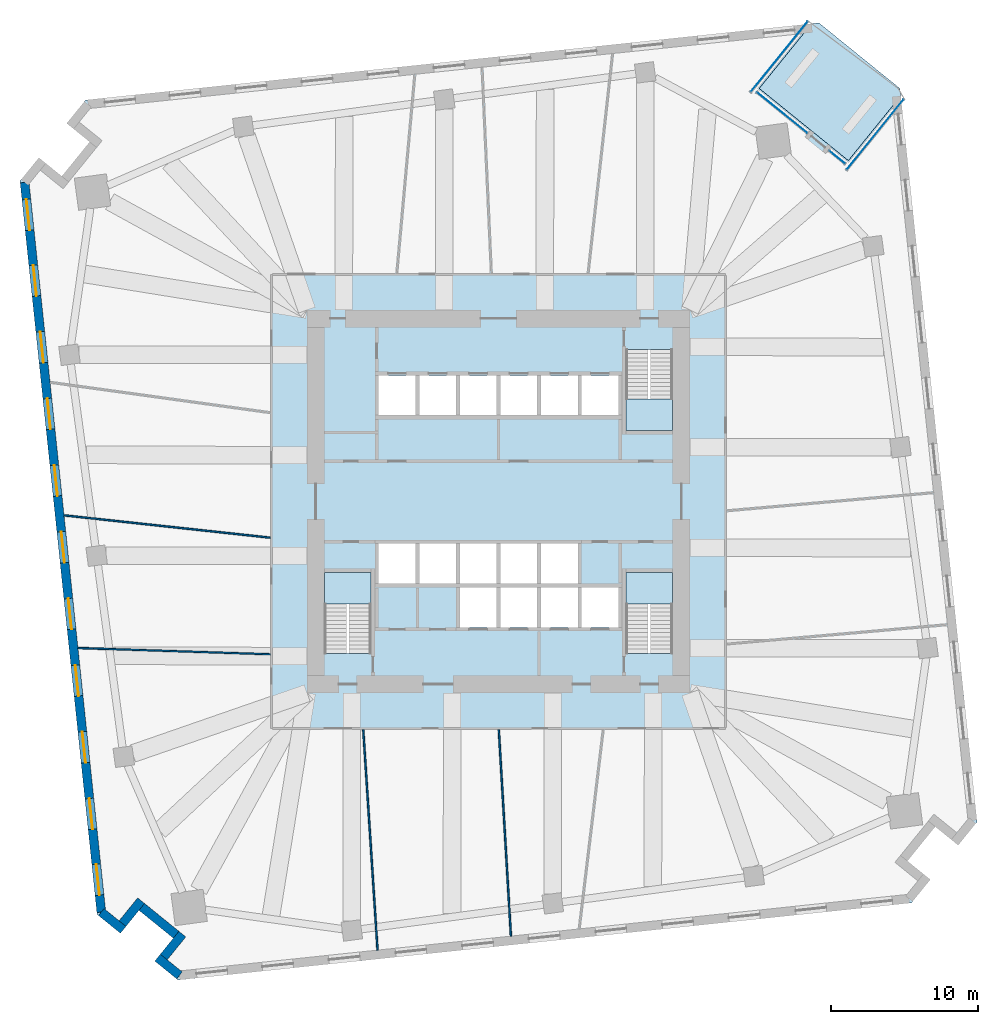
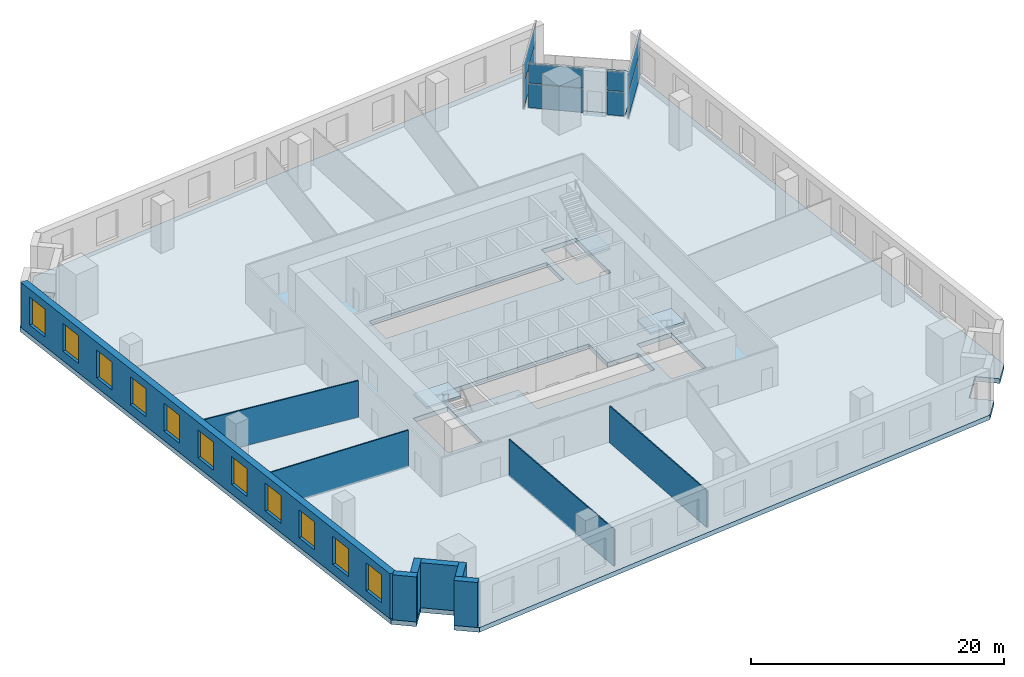
# One storey, part 3 of 10: 11 windows, 10 walls, 8 plates, 5 slabs, 11 openings, 7 elements without a shape of their own.
"""IFC4 building model written with IfcOpenShell, lengths in metres."""

from ifc_helpers import new_model, si_unit, direction, frame, frame_2d, origin, origin_2d, place, context, subcontext, project, spatial, polyline, rectangle, outline, extrude, material, layer, layer_set, type_object, element, fill, aggregate, save


model = new_model("IFC4")

# Units and contexts
model_context = context("Model", 3, precision=1e-05, world=origin(), true_north=direction((0.0, 1.0)))
body_context = subcontext(model_context, "Body", "Model", "MODEL_VIEW")
ifc_project = project(units=[si_unit("LENGTHUNIT", "METRE"), si_unit("AREAUNIT", "SQUARE_METRE"), si_unit("VOLUMEUNIT", "CUBIC_METRE"), si_unit("PLANEANGLEUNIT", "RADIAN"), si_unit("MASSUNIT", "GRAM", prefix="KILO")], contexts=[model_context])

# Site, building, storey
site_placement = place(None, origin())
site = spatial("IfcSite", under=ifc_project, at=site_placement, CompositionType="ELEMENT")
building_placement = place(site_placement, origin())
building = spatial("IfcBuilding", under=site, at=building_placement, Name="Dilmun Exchange Tower", CompositionType="ELEMENT")
storey_placement = place(building_placement, frame((0.0, 0.0, 41.699951171875)))
storey = spatial("IfcBuildingStorey", under=building, at=storey_placement, Name="L09", CompositionType="ELEMENT", Elevation=41.699951171875)

# Stair, slab
ifc_material_1 = material(Name="Concrete C40/50", Category="concrete")
stair_type = type_object("IfcStairType", Name="Exit stair 1500 half-turn", PredefinedType="HALF_TURN_STAIR", material=ifc_material_1)
stair_1_placement = place(storey_placement, origin())
stair_1 = element("IfcStair", 1, at=stair_1_placement, inside=storey, type_object=stair_type, Name="L09 Protected exit stair ST1", PredefinedType="HALF_TURN_STAIR")
ifc_layer_1 = layer(ifc_material_1, 0.199951171875)
ifc_layer_set_1 = layer_set([ifc_layer_1], Name="Concrete C40/50")
slab_type_1 = type_object("IfcSlabType", Name="Exit stair landing 200", PredefinedType="LANDING", material=ifc_layer_set_1)
slab_1_placement = place(storey_placement, frame((0.0, 0.0, 2.199951171875)))
slab_1 = element("IfcSlab", 2, at=slab_1_placement, type_object=slab_type_1, Name="ST1 landing 1", PredefinedType="LANDING", context=body_context, shape_type="SweptSolid", body=[
    extrude(outline(polyline([(8.64990234375, 6.93994140625), (8.64990234375, 4.800048828125), (11.800048828125, 4.800048828125), (11.800048828125, 6.93994140625), (8.64990234375, 6.93994140625)])), origin(), (0.0, 0.0, 1.0), 0.2001953125),
])
aggregate(stair_1, [slab_1])

stair_2_placement = place(storey_placement, origin())
stair_2 = element("IfcStair", 3, at=stair_2_placement, inside=storey, type_object=stair_type, Name="L09 Protected exit stair ST2", PredefinedType="HALF_TURN_STAIR")
slab_2_placement = place(storey_placement, frame((0.0, 0.0, 2.199951171875)))
slab_2 = element("IfcSlab", 4, at=slab_2_placement, type_object=slab_type_1, Name="ST2 landing 1", PredefinedType="LANDING", context=body_context, shape_type="SweptSolid", body=[
    extrude(outline(polyline([(-8.64990234375, -6.93994140625), (-8.64990234375, -4.800048828125), (-11.800048828125, -4.800048828125), (-11.800048828125, -6.93994140625), (-8.64990234375, -6.93994140625)])), origin(), (0.0, 0.0, 1.0), 0.2001953125),
])
aggregate(stair_2, [slab_2])

stair_3_placement = place(storey_placement, origin())
stair_3 = element("IfcStair", 5, at=stair_3_placement, inside=storey, type_object=stair_type, Name="L09 Protected exit stair ST3", PredefinedType="HALF_TURN_STAIR")
slab_3_placement = place(storey_placement, frame((0.0, 0.0, 2.199951171875)))
slab_3 = element("IfcSlab", 6, at=slab_3_placement, type_object=slab_type_1, Name="ST3 landing 1", PredefinedType="LANDING", context=body_context, shape_type="SweptSolid", body=[
    extrude(outline(polyline([(11.800048828125, -6.93994140625), (11.800048828125, -4.800048828125), (8.64990234375, -4.800048828125), (8.64990234375, -6.93994140625), (11.800048828125, -6.93994140625)])), origin(), (0.0, 0.0, 1.0), 0.2001953125),
])
aggregate(stair_3, [slab_3])

# Curtain wall, plates
ifc_material_2 = material(Name="Anodised aluminium and clear glass", Category="aluminium")
curtain_wall_type = type_object("IfcCurtainWallType", Name="Garden corner glazing", PredefinedType="NOTDEFINED", material=ifc_material_2)
curtain_wall_1_placement = place(storey_placement, origin())
curtain_wall_1 = element("IfcCurtainWall", 7, at=curtain_wall_1_placement, inside=storey, type_object=curtain_wall_type, Name="Garden corner glazing run GC1.1", PredefinedType="NOTDEFINED")
ifc_material_3 = material(Name="Clear glass", Category="glass")
ifc_layer_2 = layer(ifc_material_3, 0.028076171875)
ifc_layer_set_2 = layer_set([ifc_layer_2], Name="Clear glass")
plate_type = type_object("IfcPlateType", Name="Garden corner glazing glass panel 28", PredefinedType="CURTAIN_PANEL", material=ifc_layer_set_2)
plate_1_placement = place(storey_placement, frame((25.542236328125, 24.885498046875, 0.06005859375), z_axis=(0.0, 0.0, 1.0), x_axis=(-0.629328550374, -0.777139354096, 0.0)))
plate_1 = element("IfcPlate", 8, at=plate_1_placement, type_object=plate_type, Name="GC1.1 panel 1.1", PredefinedType="CURTAIN_PANEL", context=body_context, shape_type="SweptSolid", body=[
    extrude(rectangle(XDim=6.12646484375, YDim=0.028076171875, at=origin_2d()), origin(), (0.0, 0.0, 1.0), 2.31005859375),
])
plate_2_placement = place(storey_placement, frame((25.542236328125, 24.885498046875, 2.43017578125), z_axis=(0.0, 0.0, 1.0), x_axis=(-0.629328550374, -0.777139354096, 0.0)))
plate_2 = element("IfcPlate", 9, at=plate_2_placement, type_object=plate_type, Name="GC1.1 panel 1.2", PredefinedType="CURTAIN_PANEL", context=body_context, shape_type="SweptSolid", body=[
    extrude(rectangle(XDim=6.12646484375, YDim=0.028076171875, at=origin_2d()), origin(), (0.0, 0.0, 1.0), 1.860107421875),
])
aggregate(curtain_wall_1, [plate_1, plate_2])

curtain_wall_2_placement = place(storey_placement, origin())
curtain_wall_2 = element("IfcCurtainWall", 10, at=curtain_wall_2_placement, inside=storey, type_object=curtain_wall_type, Name="Garden corner glazing run GC2.1", PredefinedType="NOTDEFINED")
plate_3_placement = place(storey_placement, frame((22.953857421875, 23.348876953125, 0.06005859375), z_axis=(0.0, 0.0, 1.0), x_axis=(-0.777140076712, 0.629327658035, 0.0)))
plate_3 = element("IfcPlate", 11, at=plate_3_placement, type_object=plate_type, Name="GC2.1 panel 1.1", PredefinedType="CURTAIN_PANEL", context=body_context, shape_type="SweptSolid", body=[
    extrude(rectangle(XDim=1.369140625, YDim=0.028076171875, at=origin_2d()), origin(), (0.0, 0.0, 1.0), 2.31005859375),
])
plate_4_placement = place(storey_placement, frame((22.953857421875, 23.348876953125, 2.43017578125), z_axis=(0.0, 0.0, 1.0), x_axis=(-0.777140076712, 0.629327658035, 0.0)))
plate_4 = element("IfcPlate", 12, at=plate_4_placement, type_object=plate_type, Name="GC2.1 panel 1.2", PredefinedType="CURTAIN_PANEL", context=body_context, shape_type="SweptSolid", body=[
    extrude(rectangle(XDim=1.369140625, YDim=0.028076171875, at=origin_2d()), origin(), (0.0, 0.0, 1.0), 1.860107421875),
])
aggregate(curtain_wall_2, [plate_3, plate_4])

curtain_wall_3_placement = place(storey_placement, origin())
curtain_wall_3 = element("IfcCurtainWall", 13, at=curtain_wall_3_placement, inside=storey, type_object=curtain_wall_type, Name="Garden corner glazing run GC2.3", PredefinedType="NOTDEFINED")
plate_5_placement = place(storey_placement, frame((19.23193359375, 26.36279296875, 0.06005859375), z_axis=(0.0, 0.0, 1.0), x_axis=(-0.777156154153, 0.62930780391, 0.0)))
plate_5 = element("IfcPlate", 14, at=plate_5_placement, type_object=plate_type, Name="GC2.3 panel 1.1", PredefinedType="CURTAIN_PANEL", context=body_context, shape_type="SweptSolid", body=[
    extrude(rectangle(XDim=4.369140625, YDim=0.028076171875, at=origin_2d()), origin(), (0.0, 0.0, 1.0), 2.31005859375),
])
plate_6_placement = place(storey_placement, frame((19.23193359375, 26.36279296875, 2.43017578125), z_axis=(0.0, 0.0, 1.0), x_axis=(-0.777156154153, 0.62930780391, 0.0)))
plate_6 = element("IfcPlate", 15, at=plate_6_placement, type_object=plate_type, Name="GC2.3 panel 1.2", PredefinedType="CURTAIN_PANEL", context=body_context, shape_type="SweptSolid", body=[
    extrude(rectangle(XDim=4.369140625, YDim=0.028076171875, at=origin_2d()), origin(), (0.0, 0.0, 1.0), 1.860107421875),
])
aggregate(curtain_wall_3, [plate_5, plate_6])

curtain_wall_4_placement = place(storey_placement, origin())
curtain_wall_4 = element("IfcCurtainWall", 16, at=curtain_wall_4_placement, inside=storey, type_object=curtain_wall_type, Name="Garden corner glazing run GC3.1", PredefinedType="NOTDEFINED")
plate_7_placement = place(storey_placement, frame((19.03125, 30.158203125, 0.06005859375), z_axis=(0.0, 0.0, 1.0), x_axis=(0.629318881674, 0.777147183723, 0.0)))
plate_7 = element("IfcPlate", 17, at=plate_7_placement, type_object=plate_type, Name="GC3.1 panel 1.1", PredefinedType="CURTAIN_PANEL", context=body_context, shape_type="SweptSolid", body=[
    extrude(rectangle(XDim=6.12646484375, YDim=0.028076171875, at=origin_2d()), origin(), (0.0, 0.0, 1.0), 2.31005859375),
])
plate_8_placement = place(storey_placement, frame((19.03125, 30.158203125, 2.43017578125), z_axis=(0.0, 0.0, 1.0), x_axis=(0.629318881674, 0.777147183723, 0.0)))
plate_8 = element("IfcPlate", 18, at=plate_8_placement, type_object=plate_type, Name="GC3.1 panel 1.2", PredefinedType="CURTAIN_PANEL", context=body_context, shape_type="SweptSolid", body=[
    extrude(rectangle(XDim=6.12646484375, YDim=0.028076171875, at=origin_2d()), origin(), (0.0, 0.0, 1.0), 1.860107421875),
])
aggregate(curtain_wall_4, [plate_7, plate_8])

# Slabs
ifc_layer_3 = layer(ifc_material_1, 0.449951171875)
ifc_layer_set_3 = layer_set([ifc_layer_3], Name="Concrete C40/50")
slab_type_2 = type_object("IfcSlabType", Name="RC floor slab 450", PredefinedType="FLOOR", material=ifc_layer_set_3)
slab_4_placement = place(storey_placement, frame((0.0, 0.0, -0.449951171875)))
element("IfcSlab", 19, at=slab_4_placement, inside=storey, type_object=slab_type_2, Name="Floor slab", PredefinedType="FLOOR", context=body_context, shape_type="SweptSolid", body=[
    extrude(outline(polyline([(31.16796875, -23.30908203125), (29.613525390625, -22.050537109375), (27.7255859375, -24.3818359375), (29.27978515625, -25.640380859375), (27.998779296875, -27.222412109375), (-21.727294921875, -32.448974609375), (-23.30908203125, -31.16796875), (-22.050537109375, -29.613525390625), (-24.3818359375, -27.7255859375), (-25.640380859375, -29.27978515625), (-27.222412109375, -27.998779296875), (-32.448974609375, 21.727294921875), (-31.16796875, 23.30908203125), (-29.613525390625, 22.050537109375), (-27.7255859375, 24.3818359375), (-29.27978515625, 25.640380859375), (-27.998779296875, 27.222412109375), (21.22998046875, 32.396484375), (17.676513671875, 28.008544921875), (23.72119140625, 23.113525390625), (27.274658203125, 27.501708984375), (32.448974609375, -21.727294921875), (31.16796875, -23.30908203125)]), holes=[polyline([(-8.64990234375, -4.800048828125), (-11.800048828125, -4.800048828125), (-11.800048828125, -10.294921875), (-8.64990234375, -10.294921875), (-8.64990234375, -4.800048828125)]), polyline([(11.800048828125, -4.800048828125), (8.64990234375, -4.800048828125), (8.64990234375, -10.294921875), (11.800048828125, -10.294921875), (11.800048828125, -4.800048828125)]), polyline([(-8.125, -2.85009765625), (-8.125, -5.550048828125), (-2.625, -5.550048828125), (-2.625, -8.550048828125), (8.125, -8.550048828125), (8.125, -5.85009765625), (5.375, -5.85009765625), (5.375, -2.85009765625), (-8.125, -2.85009765625)]), polyline([(-8.125, 5.85009765625), (8.125, 5.85009765625), (8.125, 8.550048828125), (-8.125, 8.550048828125), (-8.125, 5.85009765625)]), polyline([(8.64990234375, 10.294921875), (8.64990234375, 4.800048828125), (11.800048828125, 4.800048828125), (11.800048828125, 10.294921875), (8.64990234375, 10.294921875)])]), origin(), (0.0, 0.0, 1.0), 0.449951171875),
])
ifc_layer_4 = layer(ifc_material_1, 0.300048828125)
ifc_layer_set_4 = layer_set([ifc_layer_4], Name="Concrete C40/50")
slab_type_3 = type_object("IfcSlabType", Name="RC garden terrace slab 300", PredefinedType="FLOOR", material=ifc_layer_set_4)
slab_5_placement = place(storey_placement, frame((0.0, 0.0, -0.300048828125)))
element("IfcSlab", 20, at=slab_5_placement, inside=storey, type_object=slab_type_3, Name="Garden terrace slab", PredefinedType="FLOOR", context=body_context, shape_type="SweptSolid", body=[
    extrude(outline(polyline([(17.676513671875, 28.008544921875), (21.22998046875, 32.396484375), (21.727294921875, 32.448974609375), (27.222412109375, 27.998779296875), (27.274658203125, 27.501708984375), (23.72119140625, 23.113525390625), (17.676513671875, 28.008544921875)])), origin(), (0.0, 0.0, 1.0), 0.300048828125),
])

# Walls
ifc_material_4 = material(Name="Partition 100")
ifc_layer_5 = layer(ifc_material_4, 0.10009765625)
ifc_layer_set_5 = layer_set([ifc_layer_5], Name="Partition 100")
wall_type_1 = type_object("IfcWallType", Name="Partition 100", PredefinedType="PARTITIONING", material=ifc_layer_set_5)
wall_1_placement = place(storey_placement, frame((-29.4609375, -0.94140625, 0.0), z_axis=(0.0, 0.0, 1.0), x_axis=(0.994180492655, -0.107727192598, 0.0)))
element("IfcWall", 21, at=wall_1_placement, inside=storey, type_object=wall_type_1, Name="Partition", PredefinedType="PARTITIONING", context=body_context, shape_type="SweptSolid", body=[
    extrude(rectangle(XDim=14.062255859375, YDim=0.10009765625, at=frame_2d((7.03125, 0.0))), origin(), (0.0, 0.0, 1.0), 3.550048828125),
])
wall_2_placement = place(storey_placement, frame((-28.515625, -9.935791015625, 0.0), z_axis=(0.0, 0.0, 1.0), x_axis=(0.999467274865, -0.032636888245, 0.0)))
element("IfcWall", 22, at=wall_2_placement, inside=storey, type_object=wall_type_1, Name="Partition", PredefinedType="PARTITIONING", context=body_context, shape_type="SweptSolid", body=[
    extrude(rectangle(XDim=13.0458984375, YDim=0.10009765625, at=frame_2d((6.52294921875, 0.0))), origin(), (0.0, 0.0, 1.0), 3.550048828125),
])
wall_3_placement = place(storey_placement, frame((-9.173828125, -15.478271484375, 0.0), z_axis=(0.0, 0.0, 1.0), x_axis=(0.064755162469, -0.997901181948, 0.0)))
element("IfcWall", 23, at=wall_3_placement, inside=storey, type_object=wall_type_1, Name="Partition", PredefinedType="PARTITIONING", context=body_context, shape_type="SweptSolid", body=[
    extrude(rectangle(XDim=14.975341796875, YDim=0.10009765625, at=frame_2d((7.48779296875, 0.0))), origin(), (0.0, 0.0, 1.0), 3.550048828125),
])
wall_4_placement = place(storey_placement, frame((0.0185546875, -15.477783203125, 0.0), z_axis=(0.0, 0.0, 1.0), x_axis=(0.058657702067, -0.998278154618, 0.0)))
element("IfcWall", 24, at=wall_4_placement, inside=storey, type_object=wall_type_1, Name="Partition", PredefinedType="PARTITIONING", context=body_context, shape_type="SweptSolid", body=[
    extrude(rectangle(XDim=14.01806640625, YDim=0.10009765625, at=frame_2d((7.009033203125, 0.0))), origin(), (0.0, 0.0, 1.0), 3.550048828125),
])

# Wall, openings, windows
ifc_material_5 = material(Name="Precast concrete C50/60", Category="concrete")
ifc_layer_6 = layer(ifc_material_5, 0.60009765625)
ifc_layer_set_6 = layer_set([ifc_layer_6], Name="Precast concrete C50/60")
wall_type_2 = type_object("IfcWallType", Name="Precast stone-clad wall 600", PredefinedType="STANDARD", material=ifc_layer_set_6)
wall_5_placement = place(storey_placement, frame((-32.137451171875, 21.635009765625, 0.0), z_axis=(0.0, 0.0, 1.0), x_axis=(0.104528196591, -0.994521923397, 0.0)))
wall_5 = element("IfcWall", 25, at=wall_5_placement, inside=storey, type_object=wall_type_2, Name="Facade wall L09-09", PredefinedType="STANDARD", context=body_context, shape_type="SweptSolid", body=[
    extrude(rectangle(XDim=49.75146484375, YDim=0.60009765625, at=frame_2d((24.875732421875, 0.0))), origin(), (0.0, 0.0, 1.0), 4.35009765625),
])
opening_1_placement = place(wall_5_placement, frame((1.16064453125, 0.0, 0.89990234375)))
opening_1 = element("IfcOpeningElement", 26, at=opening_1_placement, cuts=wall_5, Name="Opening W210-270", PredefinedType="OPENING", context=body_context, shape_type="SweptSolid", body=[
    extrude(rectangle(XDim=2.10009765625, YDim=2.699951171875, at=frame_2d((1.050048828125, 1.35009765625))), frame((0.0, 0.31005859375, 0.0), z_axis=(0.0, -1.0, 0.0), x_axis=(1.0, 0.0, 0.0)), (0.0, 0.0, 1.0), 0.6201171875),
])
opening_2_placement = place(wall_5_placement, frame((5.643798828125, 0.0, 0.89990234375)))
opening_2 = element("IfcOpeningElement", 27, at=opening_2_placement, cuts=wall_5, Name="Opening W210-270", PredefinedType="OPENING", context=body_context, shape_type="SweptSolid", body=[
    extrude(rectangle(XDim=2.10009765625, YDim=2.699951171875, at=frame_2d((1.050048828125, 1.35009765625))), frame((0.0, 0.31005859375, 0.0), z_axis=(0.0, -1.0, 0.0), x_axis=(1.0, 0.0, 0.0)), (0.0, 0.0, 1.0), 0.6201171875),
])
opening_3_placement = place(wall_5_placement, frame((10.189453125, 0.0, 0.89990234375)))
opening_3 = element("IfcOpeningElement", 28, at=opening_3_placement, cuts=wall_5, Name="Opening W210-270", PredefinedType="OPENING", context=body_context, shape_type="SweptSolid", body=[
    extrude(rectangle(XDim=2.10009765625, YDim=2.699951171875, at=frame_2d((1.050048828125, 1.35009765625))), frame((0.0, 0.31005859375, 0.0), z_axis=(0.0, -1.0, 0.0), x_axis=(1.0, 0.0, 0.0)), (0.0, 0.0, 1.0), 0.6201171875),
])
opening_4_placement = place(wall_5_placement, frame((14.73486328125, 0.0, 0.89990234375)))
opening_4 = element("IfcOpeningElement", 29, at=opening_4_placement, cuts=wall_5, Name="Opening W210-270", PredefinedType="OPENING", context=body_context, shape_type="SweptSolid", body=[
    extrude(rectangle(XDim=2.10009765625, YDim=2.699951171875, at=frame_2d((1.050048828125, 1.35009765625))), frame((0.0, 0.31005859375, 0.0), z_axis=(0.0, -1.0, 0.0), x_axis=(1.0, 0.0, 0.0)), (0.0, 0.0, 1.0), 0.6201171875),
])
opening_5_placement = place(wall_5_placement, frame((19.2802734375, 0.0, 0.89990234375)))
opening_5 = element("IfcOpeningElement", 30, at=opening_5_placement, cuts=wall_5, Name="Opening W210-270", PredefinedType="OPENING", context=body_context, shape_type="SweptSolid", body=[
    extrude(rectangle(XDim=2.10009765625, YDim=2.699951171875, at=frame_2d((1.050048828125, 1.35009765625))), frame((0.0, 0.31005859375, 0.0), z_axis=(0.0, -1.0, 0.0), x_axis=(1.0, 0.0, 0.0)), (0.0, 0.0, 1.0), 0.6201171875),
])
opening_6_placement = place(wall_5_placement, frame((23.82568359375, 0.0, 0.89990234375)))
opening_6 = element("IfcOpeningElement", 31, at=opening_6_placement, cuts=wall_5, Name="Opening W210-270", PredefinedType="OPENING", context=body_context, shape_type="SweptSolid", body=[
    extrude(rectangle(XDim=2.10009765625, YDim=2.699951171875, at=frame_2d((1.050048828125, 1.35009765625))), frame((0.0, 0.31005859375, 0.0), z_axis=(0.0, -1.0, 0.0), x_axis=(1.0, 0.0, 0.0)), (0.0, 0.0, 1.0), 0.6201171875),
])
opening_7_placement = place(wall_5_placement, frame((28.37109375, 0.0, 0.89990234375)))
opening_7 = element("IfcOpeningElement", 32, at=opening_7_placement, cuts=wall_5, Name="Opening W210-270", PredefinedType="OPENING", context=body_context, shape_type="SweptSolid", body=[
    extrude(rectangle(XDim=2.10009765625, YDim=2.699951171875, at=frame_2d((1.050048828125, 1.35009765625))), frame((0.0, 0.31005859375, 0.0), z_axis=(0.0, -1.0, 0.0), x_axis=(1.0, 0.0, 0.0)), (0.0, 0.0, 1.0), 0.6201171875),
])
opening_8_placement = place(wall_5_placement, frame((32.91650390625, 0.0, 0.89990234375)))
opening_8 = element("IfcOpeningElement", 33, at=opening_8_placement, cuts=wall_5, Name="Opening W210-270", PredefinedType="OPENING", context=body_context, shape_type="SweptSolid", body=[
    extrude(rectangle(XDim=2.10009765625, YDim=2.699951171875, at=frame_2d((1.050048828125, 1.35009765625))), frame((0.0, 0.31005859375, 0.0), z_axis=(0.0, -1.0, 0.0), x_axis=(1.0, 0.0, 0.0)), (0.0, 0.0, 1.0), 0.6201171875),
])
opening_9_placement = place(wall_5_placement, frame((37.462158203125, 0.0, 0.89990234375)))
opening_9 = element("IfcOpeningElement", 34, at=opening_9_placement, cuts=wall_5, Name="Opening W210-270", PredefinedType="OPENING", context=body_context, shape_type="SweptSolid", body=[
    extrude(rectangle(XDim=2.10009765625, YDim=2.699951171875, at=frame_2d((1.050048828125, 1.35009765625))), frame((0.0, 0.31005859375, 0.0), z_axis=(0.0, -1.0, 0.0), x_axis=(1.0, 0.0, 0.0)), (0.0, 0.0, 1.0), 0.6201171875),
])
opening_10_placement = place(wall_5_placement, frame((42.007568359375, 0.0, 0.89990234375)))
opening_10 = element("IfcOpeningElement", 35, at=opening_10_placement, cuts=wall_5, Name="Opening W210-270", PredefinedType="OPENING", context=body_context, shape_type="SweptSolid", body=[
    extrude(rectangle(XDim=2.10009765625, YDim=2.699951171875, at=frame_2d((1.050048828125, 1.35009765625))), frame((0.0, 0.31005859375, 0.0), z_axis=(0.0, -1.0, 0.0), x_axis=(1.0, 0.0, 0.0)), (0.0, 0.0, 1.0), 0.6201171875),
])
opening_11_placement = place(wall_5_placement, frame((46.490966796875, 0.0, 0.89990234375)))
opening_11 = element("IfcOpeningElement", 36, at=opening_11_placement, cuts=wall_5, Name="Opening W210-270", PredefinedType="OPENING", context=body_context, shape_type="SweptSolid", body=[
    extrude(rectangle(XDim=2.10009765625, YDim=2.699951171875, at=frame_2d((1.050048828125, 1.35009765625))), frame((0.0, 0.31005859375, 0.0), z_axis=(0.0, -1.0, 0.0), x_axis=(1.0, 0.0, 0.0)), (0.0, 0.0, 1.0), 0.6201171875),
])
ifc_material_6 = material(Name="Clear low-emissivity glass in aluminium frame", Category="aluminium")
window_type = type_object("IfcWindowType", Name="Punched window 2100 x 2700", PartitioningType="DOUBLE_PANEL_VERTICAL", PredefinedType="WINDOW", material=ifc_material_6)
window_1_placement = place(opening_1_placement, origin())
window_1 = element("IfcWindow", 37, at=window_1_placement, inside=storey, type_object=window_type, Name="Window 10.1", OverallHeight=2.699951171875, OverallWidth=2.10009765625, PartitioningType="SINGLE_PANEL", PredefinedType="WINDOW", context=body_context, shape_type="SweptSolid", body=[
    extrude(rectangle(XDim=2.10009765625, YDim=2.699951171875, at=frame_2d((1.050048828125, 1.35009765625))), frame((0.0, 0.030029296875, 0.0), z_axis=(0.0, -1.0, 0.0), x_axis=(1.0, 0.0, 0.0)), (0.0, 0.0, 1.0), 0.06005859375),
])
fill(opening_1, window_1)
window_2_placement = place(opening_2_placement, origin())
window_2 = element("IfcWindow", 38, at=window_2_placement, inside=storey, type_object=window_type, Name="Window 10.2", OverallHeight=2.699951171875, OverallWidth=2.10009765625, PartitioningType="SINGLE_PANEL", PredefinedType="WINDOW", context=body_context, shape_type="SweptSolid", body=[
    extrude(rectangle(XDim=2.10009765625, YDim=2.699951171875, at=frame_2d((1.050048828125, 1.35009765625))), frame((0.0, 0.030029296875, 0.0), z_axis=(0.0, -1.0, 0.0), x_axis=(1.0, 0.0, 0.0)), (0.0, 0.0, 1.0), 0.06005859375),
])
fill(opening_2, window_2)
window_3_placement = place(opening_3_placement, origin())
window_3 = element("IfcWindow", 39, at=window_3_placement, inside=storey, type_object=window_type, Name="Window 10.3", OverallHeight=2.699951171875, OverallWidth=2.10009765625, PartitioningType="SINGLE_PANEL", PredefinedType="WINDOW", context=body_context, shape_type="SweptSolid", body=[
    extrude(rectangle(XDim=2.10009765625, YDim=2.699951171875, at=frame_2d((1.050048828125, 1.35009765625))), frame((0.0, 0.030029296875, 0.0), z_axis=(0.0, -1.0, 0.0), x_axis=(1.0, 0.0, 0.0)), (0.0, 0.0, 1.0), 0.06005859375),
])
fill(opening_3, window_3)
window_4_placement = place(opening_4_placement, origin())
window_4 = element("IfcWindow", 40, at=window_4_placement, inside=storey, type_object=window_type, Name="Window 10.4", OverallHeight=2.699951171875, OverallWidth=2.10009765625, PartitioningType="SINGLE_PANEL", PredefinedType="WINDOW", context=body_context, shape_type="SweptSolid", body=[
    extrude(rectangle(XDim=2.10009765625, YDim=2.699951171875, at=frame_2d((1.050048828125, 1.35009765625))), frame((0.0, 0.030029296875, 0.0), z_axis=(0.0, -1.0, 0.0), x_axis=(1.0, 0.0, 0.0)), (0.0, 0.0, 1.0), 0.06005859375),
])
fill(opening_4, window_4)
window_5_placement = place(opening_5_placement, origin())
window_5 = element("IfcWindow", 41, at=window_5_placement, inside=storey, type_object=window_type, Name="Window 10.5", OverallHeight=2.699951171875, OverallWidth=2.10009765625, PartitioningType="SINGLE_PANEL", PredefinedType="WINDOW", context=body_context, shape_type="SweptSolid", body=[
    extrude(rectangle(XDim=2.10009765625, YDim=2.699951171875, at=frame_2d((1.050048828125, 1.35009765625))), frame((0.0, 0.030029296875, 0.0), z_axis=(0.0, -1.0, 0.0), x_axis=(1.0, 0.0, 0.0)), (0.0, 0.0, 1.0), 0.06005859375),
])
fill(opening_5, window_5)
window_6_placement = place(opening_6_placement, origin())
window_6 = element("IfcWindow", 42, at=window_6_placement, inside=storey, type_object=window_type, Name="Window 10.6", OverallHeight=2.699951171875, OverallWidth=2.10009765625, PartitioningType="SINGLE_PANEL", PredefinedType="WINDOW", context=body_context, shape_type="SweptSolid", body=[
    extrude(rectangle(XDim=2.10009765625, YDim=2.699951171875, at=frame_2d((1.050048828125, 1.35009765625))), frame((0.0, 0.030029296875, 0.0), z_axis=(0.0, -1.0, 0.0), x_axis=(1.0, 0.0, 0.0)), (0.0, 0.0, 1.0), 0.06005859375),
])
fill(opening_6, window_6)
window_7_placement = place(opening_7_placement, origin())
window_7 = element("IfcWindow", 43, at=window_7_placement, inside=storey, type_object=window_type, Name="Window 10.7", OverallHeight=2.699951171875, OverallWidth=2.10009765625, PartitioningType="SINGLE_PANEL", PredefinedType="WINDOW", context=body_context, shape_type="SweptSolid", body=[
    extrude(rectangle(XDim=2.10009765625, YDim=2.699951171875, at=frame_2d((1.050048828125, 1.35009765625))), frame((0.0, 0.030029296875, 0.0), z_axis=(0.0, -1.0, 0.0), x_axis=(1.0, 0.0, 0.0)), (0.0, 0.0, 1.0), 0.06005859375),
])
fill(opening_7, window_7)
window_8_placement = place(opening_8_placement, origin())
window_8 = element("IfcWindow", 44, at=window_8_placement, inside=storey, type_object=window_type, Name="Window 10.8", OverallHeight=2.699951171875, OverallWidth=2.10009765625, PartitioningType="SINGLE_PANEL", PredefinedType="WINDOW", context=body_context, shape_type="SweptSolid", body=[
    extrude(rectangle(XDim=2.10009765625, YDim=2.699951171875, at=frame_2d((1.050048828125, 1.35009765625))), frame((0.0, 0.030029296875, 0.0), z_axis=(0.0, -1.0, 0.0), x_axis=(1.0, 0.0, 0.0)), (0.0, 0.0, 1.0), 0.06005859375),
])
fill(opening_8, window_8)
window_9_placement = place(opening_9_placement, origin())
window_9 = element("IfcWindow", 45, at=window_9_placement, inside=storey, type_object=window_type, Name="Window 10.9", OverallHeight=2.699951171875, OverallWidth=2.10009765625, PartitioningType="SINGLE_PANEL", PredefinedType="WINDOW", context=body_context, shape_type="SweptSolid", body=[
    extrude(rectangle(XDim=2.10009765625, YDim=2.699951171875, at=frame_2d((1.050048828125, 1.35009765625))), frame((0.0, 0.030029296875, 0.0), z_axis=(0.0, -1.0, 0.0), x_axis=(1.0, 0.0, 0.0)), (0.0, 0.0, 1.0), 0.06005859375),
])
fill(opening_9, window_9)
window_10_placement = place(opening_10_placement, origin())
window_10 = element("IfcWindow", 46, at=window_10_placement, inside=storey, type_object=window_type, Name="Window 10.10", OverallHeight=2.699951171875, OverallWidth=2.10009765625, PartitioningType="SINGLE_PANEL", PredefinedType="WINDOW", context=body_context, shape_type="SweptSolid", body=[
    extrude(rectangle(XDim=2.10009765625, YDim=2.699951171875, at=frame_2d((1.050048828125, 1.35009765625))), frame((0.0, 0.030029296875, 0.0), z_axis=(0.0, -1.0, 0.0), x_axis=(1.0, 0.0, 0.0)), (0.0, 0.0, 1.0), 0.06005859375),
])
fill(opening_10, window_10)
window_11_placement = place(opening_11_placement, origin())
window_11 = element("IfcWindow", 47, at=window_11_placement, inside=storey, type_object=window_type, Name="Window 10.11", OverallHeight=2.699951171875, OverallWidth=2.10009765625, PartitioningType="SINGLE_PANEL", PredefinedType="WINDOW", context=body_context, shape_type="SweptSolid", body=[
    extrude(rectangle(XDim=2.10009765625, YDim=2.699951171875, at=frame_2d((1.050048828125, 1.35009765625))), frame((0.0, 0.030029296875, 0.0), z_axis=(0.0, -1.0, 0.0), x_axis=(1.0, 0.0, 0.0)), (0.0, 0.0, 1.0), 0.06005859375),
])
fill(opening_11, window_11)

# Walls
wall_6_placement = place(storey_placement, frame((-26.93701171875, -27.843994140625, 0.0), z_axis=(0.0, 0.0, 1.0), x_axis=(0.777128847746, -0.629341524136, 0.0)))
element("IfcWall", 48, at=wall_6_placement, inside=storey, type_object=wall_type_2, Name="Facade wall L09-10", PredefinedType="STANDARD", context=body_context, shape_type="SweptSolid", body=[
    extrude(rectangle(XDim=1.911376953125, YDim=0.60009765625, at=frame_2d((0.95556640625, 0.0))), origin(), (0.0, 0.0, 1.0), 4.35009765625),
])
wall_7_placement = place(storey_placement, frame((-25.49609375, -28.624755859375, 0.0), z_axis=(0.0, 0.0, 1.0), x_axis=(0.629387834958, 0.777091341611, 0.0)))
element("IfcWall", 49, at=wall_7_placement, inside=storey, type_object=wall_type_2, Name="Facade wall L09-11", PredefinedType="STANDARD", context=body_context, shape_type="SweptSolid", body=[
    extrude(rectangle(XDim=2.0, YDim=0.60009765625, at=frame_2d((1.0, 0.0))), origin(), (0.0, 0.0, 1.0), 4.35009765625),
])
wall_8_placement = place(storey_placement, frame((-24.193115234375, -27.492431640625, 0.0), z_axis=(0.0, 0.0, 1.0), x_axis=(0.777131144068, -0.629338688562, 0.0)))
element("IfcWall", 50, at=wall_8_placement, inside=storey, type_object=wall_type_2, Name="Facade wall L09-12", PredefinedType="STANDARD", context=body_context, shape_type="SweptSolid", body=[
    extrude(rectangle(XDim=3.0, YDim=0.60009765625, at=frame_2d((1.5, 0.0))), origin(), (0.0, 0.0, 1.0), 4.35009765625),
])
wall_9_placement = place(storey_placement, frame((-21.439697265625, -29.336181640625, 0.0), z_axis=(0.0, 0.0, 1.0), x_axis=(-0.629387834958, -0.777091341611, 0.0)))
element("IfcWall", 51, at=wall_9_placement, inside=storey, type_object=wall_type_2, Name="Facade wall L09-13", PredefinedType="STANDARD", context=body_context, shape_type="SweptSolid", body=[
    extrude(rectangle(XDim=2.0, YDim=0.60009765625, at=frame_2d((1.0, 0.0))), origin(), (0.0, 0.0, 1.0), 4.35009765625),
])
wall_10_placement = place(storey_placement, frame((-23.120361328125, -30.934814453125, 0.0), z_axis=(0.0, 0.0, 1.0), x_axis=(0.777191320627, -0.629264373012, 0.0)))
element("IfcWall", 52, at=wall_10_placement, inside=storey, type_object=wall_type_2, Name="Facade wall L09-14", PredefinedType="STANDARD", context=body_context, shape_type="SweptSolid", body=[
    extrude(rectangle(XDim=1.9111328125, YDim=0.60009765625, at=frame_2d((0.95556640625, 0.0))), origin(), (0.0, 0.0, 1.0), 4.35009765625),
])

save(model, "model.ifc")
